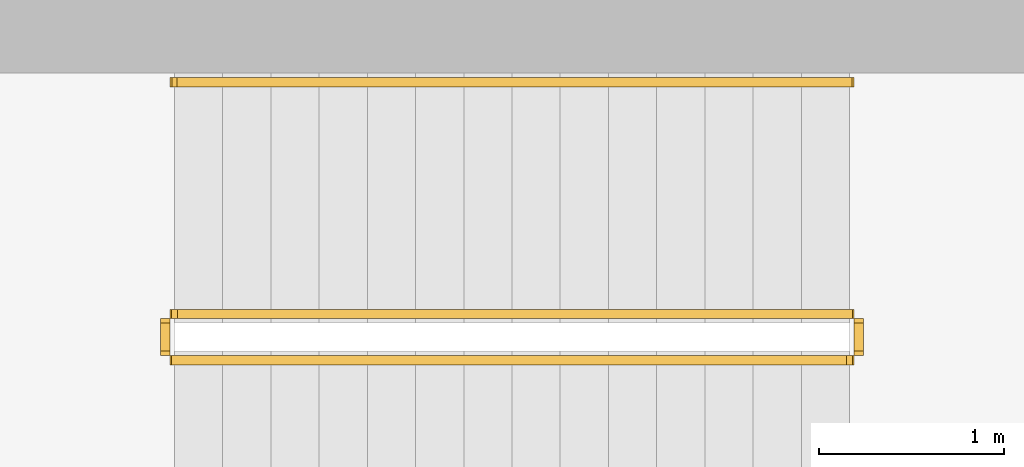
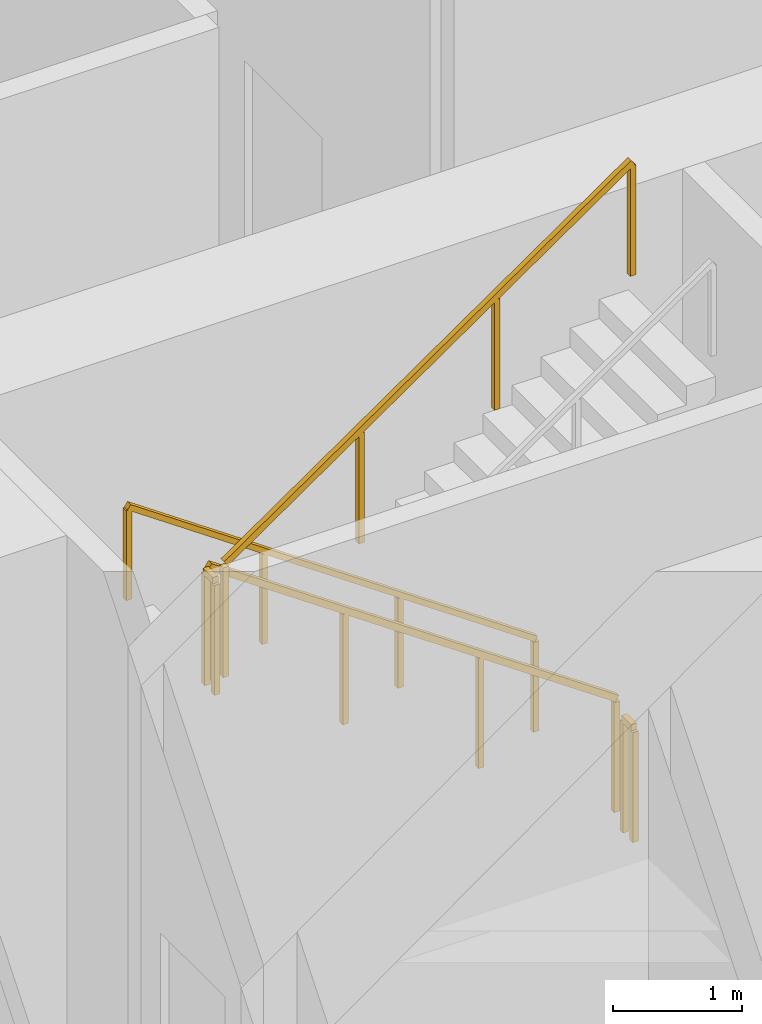
# One storey, part 21 of 21: 5 railings.
"""IFC4 building model written with IfcOpenShell, lengths in metres."""

import ifcopenshell
import ifcopenshell.guid

model = None  # the IFC model being written
_history = None  # IfcOwnerHistory: only IFC2X3 demands one
_inside = {}  # id of a spatial element -> (the spatial element, [elements in it])
_under = {}  # id of a project, library or spatial element -> (it, [spatial elements below it])
_declared = {}  # id of a project -> (the project, [libraries it declares])
_typed = {}  # id of a type object -> (the type object, [elements of that type])
_made_of = {}  # id of a material, layer set ... -> (it, [elements and type objects made of it])


def new_model(schema):
    """Start an empty IFC model of exactly this schema.

    Asked for "IFC4X3", IfcOpenShell would pick the latest addendum, in which some entities
    have other attributes; the version numbers below select the first issue.
    IFC2X3 requires an IfcOwnerHistory on every rooted entity: one is made here for all.
    """
    global model, _history
    if schema == "IFC4X3":
        model = ifcopenshell.file(schema_version=(4, 3, 0, 0))
    else:
        model = ifcopenshell.file(schema=schema)
    _inside.clear()
    _under.clear()
    _declared.clear()
    _typed.clear()
    _made_of.clear()
    _history = None
    if model.schema == "IFC2X3":
        org = make("IfcOrganization", Name="unknown")
        user = make(
            "IfcPersonAndOrganization",
            ThePerson=make("IfcPerson", FamilyName="unknown"),
            TheOrganization=org,
        )
        app = make(
            "IfcApplication",
            ApplicationDeveloper=org,
            Version="unknown",
            ApplicationFullName="unknown",
            ApplicationIdentifier="unknown",
        )
        _history = make(
            "IfcOwnerHistory",
            OwningUser=user,
            OwningApplication=app,
            ChangeAction="ADDED",
            CreationDate=0,
        )
    return model


def make(cls, **values):
    """One entity of the class cls with the attributes given. An attribute that is None is left unset."""
    return model.create_entity(
        cls, **{name: value for name, value in values.items() if value is not None}
    )


def rooted(cls, **values):
    """An entity with a GlobalId (a new one), such as an element, a storey or a relation."""
    return make(cls, GlobalId=ifcopenshell.guid.new(), OwnerHistory=_history, **values)


def si_unit(unit_type, name, prefix=None):
    """IfcSIUnit, for example si_unit("LENGTHUNIT", "METRE", prefix="MILLI")."""
    return make("IfcSIUnit", UnitType=unit_type, Prefix=prefix, Name=name)


def assignment(units):
    """IfcUnitAssignment: the units of a project."""
    return None if units is None else make("IfcUnitAssignment", Units=units)


def point(xyz):
    """IfcCartesianPoint."""
    return None if xyz is None else make("IfcCartesianPoint", Coordinates=xyz)


def direction(xyz):
    """IfcDirection."""
    return None if xyz is None else make("IfcDirection", DirectionRatios=xyz)


def frame(location, z_axis=None, x_axis=None):
    """IfcAxis2Placement3D, a coordinate frame: its origin and axes. An axis left out is left unset."""
    return make(
        "IfcAxis2Placement3D",
        Location=point(location),
        Axis=direction(z_axis),
        RefDirection=direction(x_axis),
    )


def frame_2d(location, x_axis=None):
    """IfcAxis2Placement2D, a coordinate frame in the plane: its origin and x axis."""
    return make(
        "IfcAxis2Placement2D", Location=point(location), RefDirection=direction(x_axis)
    )


def origin():
    """The frame at (0, 0, 0) with its axes left unset."""
    return frame((0.0, 0.0, 0.0))


def origin_2d():
    """The frame at (0, 0) in the plane with its x axis left unset."""
    return frame_2d((0.0, 0.0))


def place(relative_to, where):
    """IfcLocalPlacement: puts the frame where relative to a parent placement (None: the world)."""
    return make(
        "IfcLocalPlacement", PlacementRelTo=relative_to, RelativePlacement=where
    )


def context(
    kind, dimensions, precision=None, world=None, true_north=None, identifier=None
):
    """IfcGeometricRepresentationContext, for example the 3D "Model" context."""
    return make(
        "IfcGeometricRepresentationContext",
        ContextIdentifier=identifier,
        ContextType=kind,
        CoordinateSpaceDimension=dimensions,
        Precision=precision,
        WorldCoordinateSystem=world,
        TrueNorth=true_north,
    )


def subcontext(parent, identifier, kind, view, scale=None):
    """IfcGeometricRepresentationSubContext, for example "Body" below "Model"."""
    return make(
        "IfcGeometricRepresentationSubContext",
        ContextIdentifier=identifier,
        ContextType=kind,
        ParentContext=parent,
        TargetScale=scale,
        TargetView=view,
    )


def project(units=None, contexts=None):
    """IfcProject with its units and contexts."""
    return rooted(
        "IfcProject",
        Name="project",
        RepresentationContexts=contexts,
        UnitsInContext=assignment(units),
    )


def spatial(cls, under=None, at=None, **own):
    """A site, building, storey or space (cls), placed at a placement, below another one or the project."""
    s = rooted(cls, ObjectPlacement=at, **own)
    if under is not None:
        _under.setdefault(under.id(), (under, []))[1].append(s)
    return s


def profile(cls, at=None, kind="AREA", **sizes):
    """A parametric profile (cls). Its sizes go by their IFC names, for example OverallWidth=200.0."""
    return make(cls, ProfileType=kind, Position=at, **sizes)


def rectangle(**sizes):
    """IfcRectangleProfileDef."""
    return profile("IfcRectangleProfileDef", **sizes)


def extrude(swept, where, along, depth):
    """IfcExtrudedAreaSolid: the profile swept, set in the frame where, extruded along a direction by depth."""
    return make(
        "IfcExtrudedAreaSolid",
        SweptArea=swept,
        Position=where,
        ExtrudedDirection=direction(along),
        Depth=depth,
    )


def shape(context_of_items, identifier, shape_type, items):
    """IfcShapeRepresentation: the items that make up one representation, for example the "Body"."""
    return make(
        "IfcShapeRepresentation",
        ContextOfItems=context_of_items,
        RepresentationIdentifier=identifier,
        RepresentationType=shape_type,
        Items=items,
    )


def material(Name=None, Category=None):
    """IfcMaterial."""
    return make("IfcMaterial", Name=Name, Category=Category)


def made_of(thing, what):
    """Note that an element or type object is made of a material, layer set ...; save() writes the relation."""
    if what is not None:
        _made_of.setdefault(what.id(), (what, []))[1].append(thing)
    return thing


def type_object(cls, material=None, **own):
    """A type object (cls), such as IfcWallType, which elements share."""
    return made_of(rooted(cls, **own), material)


def element(
    cls,
    number,
    at=None,
    inside=None,
    cuts=None,
    type_object=None,
    material=None,
    context=None,
    identifier="Body",
    shape_type=None,
    held_by="IfcProductDefinitionShape",
    body=None,
    shapes=None,
    **own,
):
    """One element of the class cls, such as IfcWall. Its Tag is "e" and its number.

    at: its placement. inside: the storey or other place that contains it. cuts: it is an
    opening in that element (IfcRelVoidsElement). A single representation is given by context,
    identifier, shape_type and body (its items); several are given by shapes. held_by: the class
    of the entity that holds the representations. save() writes the other relations.
    """
    e = rooted(cls, Tag="e%d" % number, ObjectPlacement=at, **own)
    if body is not None:
        shapes = [shape(context, identifier, shape_type, body)]
    if shapes is not None:
        e.Representation = make(held_by, Representations=shapes)
    if inside is not None:
        _inside.setdefault(inside.id(), (inside, []))[1].append(e)
    if cuts is not None:
        rooted(
            "IfcRelVoidsElement", RelatingBuildingElement=cuts, RelatedOpeningElement=e
        )
    if type_object is not None:
        _typed.setdefault(type_object.id(), (type_object, []))[1].append(e)
    return made_of(e, material)


def aggregate(whole, parts):
    """IfcRelAggregates: a whole, such as a stair, and the parts it consists of."""
    return rooted("IfcRelAggregates", RelatingObject=whole, RelatedObjects=parts)


def save(model, path):
    """Write the relations noted so far, then the file.

    IfcRelAggregates (storeys below a building ...), IfcRelContainedInSpatialStructure (elements
    in a storey), IfcRelDefinesByType, IfcRelAssociatesMaterial and IfcRelDeclares: one each for
    every whole, place, type object, material and project.
    """
    for whole, parts in _under.values():
        aggregate(whole, parts)
    for where, things in _inside.values():
        rooted(
            "IfcRelContainedInSpatialStructure",
            RelatedElements=things,
            RelatingStructure=where,
        )
    for kind, things in _typed.values():
        rooted("IfcRelDefinesByType", RelatedObjects=things, RelatingType=kind)
    for what, things in _made_of.values():
        rooted("IfcRelAssociatesMaterial", RelatedObjects=things, RelatingMaterial=what)
    for by, libraries in _declared.values():
        rooted("IfcRelDeclares", RelatingContext=by, RelatedDefinitions=libraries)
    model.write(path)


model = new_model("IFC4")

# Units and contexts
model_context = context("Model", 3, precision=1e-05, world=origin(), true_north=direction((0.0, 1.0)))
body_context = subcontext(model_context, "Body", "Model", "MODEL_VIEW")
ifc_project = project(units=[si_unit("LENGTHUNIT", "METRE"), si_unit("AREAUNIT", "SQUARE_METRE"), si_unit("VOLUMEUNIT", "CUBIC_METRE"), si_unit("PLANEANGLEUNIT", "RADIAN"), si_unit("MASSUNIT", "GRAM", prefix="KILO")], contexts=[model_context])

# Site, building, storey
site_placement = place(None, origin())
site = spatial("IfcSite", under=ifc_project, at=site_placement, CompositionType="ELEMENT")
building_placement = place(site_placement, origin())
building = spatial("IfcBuilding", under=site, at=building_placement, Name="Khepri Terraces", CompositionType="ELEMENT")
storey_placement = place(building_placement, frame((0.0, 0.0, 235.199951171875)))
storey = spatial("IfcBuildingStorey", under=building, at=storey_placement, Name="L56", CompositionType="ELEMENT", Elevation=235.199951171875)

# Railings
ifc_material = material(Name="Stainless steel 316", Category="steel")
railing_type_1 = type_object("IfcRailingType", Name="RL-CORE-GUARD", PredefinedType="GUARDRAIL", material=ifc_material)
railing_1_placement = place(storey_placement, frame((-0.25, 8.800048828125, 0.179931640625)))
element("IfcRailing", 1, at=railing_1_placement, inside=storey, type_object=railing_type_1, Name="L56 ST-3 stair guard 1", PredefinedType="GUARDRAIL", context=body_context, shape_type="SweptSolid", body=[
    extrude(rectangle(XDim=0.050048828125, YDim=0.06005859375, at=origin_2d()), frame((0.0, 0.0, 1.070068359375), z_axis=(-0.822182265111, 0.0, 0.569224316888), x_axis=(0.0, -1.0, 0.0)), (0.0, 0.0, 1.0), 4.427001953125),
    extrude(rectangle(XDim=0.050048828125, YDim=0.050048828125, at=origin_2d()), origin(), (0.0, 0.0, 1.0), 1.0400390625),
    extrude(rectangle(XDim=0.050048828125, YDim=0.050048828125, at=origin_2d()), frame((-1.21337890625, 0.0, 0.840087890625)), (0.0, 0.0, 1.0), 1.0400390625),
    extrude(rectangle(XDim=0.050048828125, YDim=0.050048828125, at=origin_2d()), frame((-2.426513671875, 0.0, 1.679931640625)), (0.0, 0.0, 1.0), 1.0400390625),
    extrude(rectangle(XDim=0.050048828125, YDim=0.050048828125, at=origin_2d()), frame((-3.639892578125, 0.0, 2.52001953125)), (0.0, 0.0, 1.0), 1.0400390625),
])
railing_2_placement = place(storey_placement, frame((-3.93994140625, 8.75, 2.699951171875)))
element("IfcRailing", 2, at=railing_2_placement, inside=storey, type_object=railing_type_1, Name="L56 ST-3 stair guard 2", PredefinedType="GUARDRAIL", context=body_context, shape_type="SweptSolid", body=[
    extrude(rectangle(XDim=0.050048828125, YDim=0.06005859375, at=origin_2d()), frame((0.0, 0.0, 1.070068359375), z_axis=(0.0, -1.0, 0.0), x_axis=(1.0, 0.0, 0.0)), (0.0, 0.0, 1.0), 0.14990234375),
    extrude(rectangle(XDim=0.050048828125, YDim=0.050048828125, at=origin_2d()), origin(), (0.0, 0.0, 1.0), 1.0400390625),
    extrude(rectangle(XDim=0.050048828125, YDim=0.050048828125, at=origin_2d()), frame((0.0, -0.14990234375, 0.0)), (0.0, 0.0, 1.0), 1.0400390625),
])
railing_3_placement = place(storey_placement, frame((-3.889892578125, 8.550048828125, 2.880126953125)))
element("IfcRailing", 3, at=railing_3_placement, inside=storey, type_object=railing_type_1, Name="L56 ST-3 stair guard 3", PredefinedType="GUARDRAIL", context=body_context, shape_type="SweptSolid", body=[
    extrude(rectangle(XDim=0.050048828125, YDim=0.06005859375, at=origin_2d()), frame((0.0, 0.0, 1.070068359375), z_axis=(0.822182265111, 0.0, 0.569224316888), x_axis=(0.0, 1.0, 0.0)), (0.0, 0.0, 1.0), 4.427001953125),
    extrude(rectangle(XDim=0.050048828125, YDim=0.050048828125, at=origin_2d()), origin(), (0.0, 0.0, 1.0), 1.0400390625),
    extrude(rectangle(XDim=0.050048828125, YDim=0.050048828125, at=origin_2d()), frame((1.21337890625, 0.0, 0.840087890625)), (0.0, 0.0, 1.0), 1.0400390625),
    extrude(rectangle(XDim=0.050048828125, YDim=0.050048828125, at=origin_2d()), frame((2.426513671875, 0.0, 1.679931640625)), (0.0, 0.0, 1.0), 1.0400390625),
    extrude(rectangle(XDim=0.050048828125, YDim=0.050048828125, at=origin_2d()), frame((3.639892578125, 0.0, 2.52001953125)), (0.0, 0.0, 1.0), 1.0400390625),
])
railing_4_placement = place(storey_placement, frame((-0.199951171875, 8.75, 0.0)))
element("IfcRailing", 4, at=railing_4_placement, inside=storey, type_object=railing_type_1, Name="L56 ST-3 stair guard 4", PredefinedType="GUARDRAIL", context=body_context, shape_type="SweptSolid", body=[
    extrude(rectangle(XDim=0.050048828125, YDim=0.06005859375, at=origin_2d()), frame((0.0, 0.0, 1.070068359375), z_axis=(0.0, -1.0, 0.0), x_axis=(1.0, 0.0, 0.0)), (0.0, 0.0, 1.0), 0.14990234375),
    extrude(rectangle(XDim=0.050048828125, YDim=0.050048828125, at=origin_2d()), origin(), (0.0, 0.0, 1.0), 1.0400390625),
    extrude(rectangle(XDim=0.050048828125, YDim=0.050048828125, at=origin_2d()), frame((0.0, -0.14990234375, 0.0)), (0.0, 0.0, 1.0), 1.0400390625),
])
railing_type_2 = type_object("IfcRailingType", Name="RL-CORE-HANDRAIL", PredefinedType="HANDRAIL", material=ifc_material)
railing_5_placement = place(storey_placement, frame((-0.25, 10.050048828125, 0.179931640625)))
element("IfcRailing", 5, at=railing_5_placement, inside=storey, type_object=railing_type_2, Name="L56 ST-3 stair handrail 1", PredefinedType="HANDRAIL", context=body_context, shape_type="SweptSolid", body=[
    extrude(rectangle(XDim=0.050048828125, YDim=0.050048828125, at=origin_2d()), frame((0.0, 0.0, 0.875), z_axis=(-0.822182265111, 0.0, 0.569224316888), x_axis=(0.0, -1.0, 0.0)), (0.0, 0.0, 1.0), 4.427001953125),
    extrude(rectangle(XDim=0.050048828125, YDim=0.050048828125, at=origin_2d()), origin(), (0.0, 0.0, 1.0), 0.849853515625),
    extrude(rectangle(XDim=0.050048828125, YDim=0.050048828125, at=origin_2d()), frame((-1.21337890625, 0.0, 0.840087890625)), (0.0, 0.0, 1.0), 0.849853515625),
    extrude(rectangle(XDim=0.050048828125, YDim=0.050048828125, at=origin_2d()), frame((-2.426513671875, 0.0, 1.679931640625)), (0.0, 0.0, 1.0), 0.849853515625),
    extrude(rectangle(XDim=0.050048828125, YDim=0.050048828125, at=origin_2d()), frame((-3.639892578125, 0.0, 2.52001953125)), (0.0, 0.0, 1.0), 0.849853515625),
])

save(model, "model.ifc")
